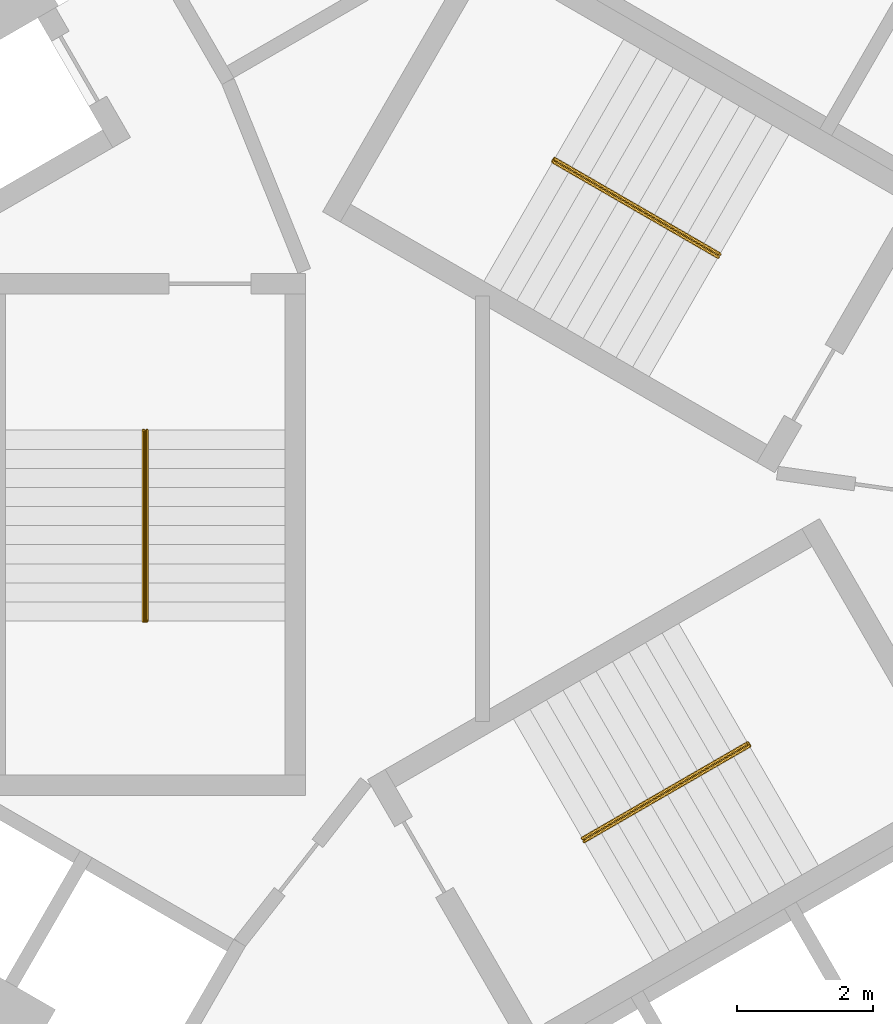
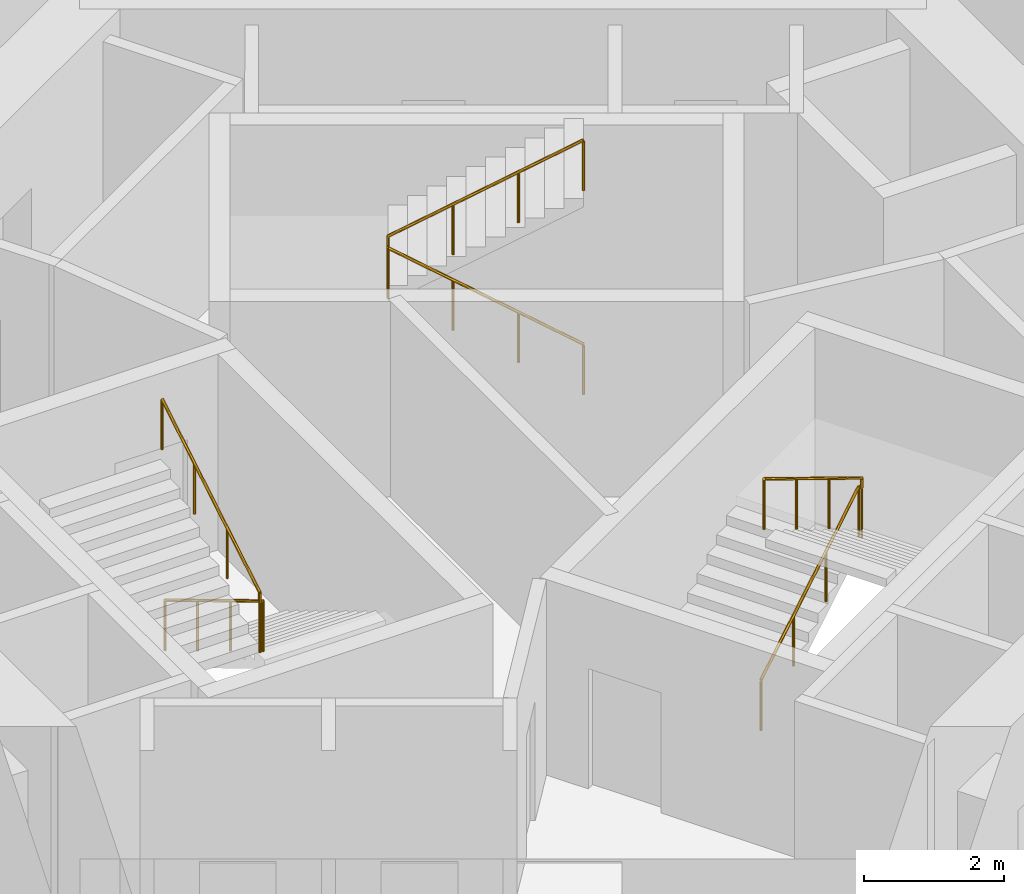
# One storey, part 10 of 10: 3 railings.
"""IFC4 building model written with IfcOpenShell, lengths in metres."""

from ifc_helpers import new_model, si_unit, direction, frame, origin, origin_2d, place, context, subcontext, project, spatial, circle, extrude, material, type_object, element, save


model = new_model("IFC4")

# Units and contexts
model_context = context("Model", 3, precision=1e-05, world=origin(), true_north=direction((0.0, 1.0)))
body_context = subcontext(model_context, "Body", "Model", "MODEL_VIEW")
ifc_project = project(units=[si_unit("LENGTHUNIT", "METRE"), si_unit("AREAUNIT", "SQUARE_METRE"), si_unit("VOLUMEUNIT", "CUBIC_METRE"), si_unit("PLANEANGLEUNIT", "RADIAN"), si_unit("MASSUNIT", "GRAM", prefix="KILO")], contexts=[model_context])

# Site, building, storey
site_placement = place(None, origin())
site = spatial("IfcSite", under=ifc_project, at=site_placement, CompositionType="ELEMENT")
building_placement = place(site_placement, origin())
building = spatial("IfcBuilding", under=site, at=building_placement, Name="Vanh Sen Convention Tower", CompositionType="ELEMENT")
storey_placement = place(building_placement, frame((0.0, 0.0, 157.699951171875)))
storey = spatial("IfcBuildingStorey", under=building, at=storey_placement, Name="L38", CompositionType="ELEMENT", Elevation=157.699951171875)

# Railings
ifc_material = material(Name="Stainless steel handrail", Category="steel")
railing_type = type_object("IfcRailingType", Name="Stair handrail 900", PredefinedType="HANDRAIL", material=ifc_material)
railing_1_placement = place(storey_placement, frame((3.45849609375, 3.690185546875, 0.168212890625)))
element("IfcRailing", 1, at=railing_1_placement, inside=storey, type_object=railing_type, Name="Stair handrail ST1 L38", PredefinedType="HANDRAIL", context=body_context, shape_type="SweptSolid", body=[
    extrude(circle(Radius=0.02392578125, at=origin_2d()), frame((0.0, 0.0, 0.8759765625), z_axis=(-0.742390482028, 0.42860119049, 0.514934356695), x_axis=(-0.49998411664, -0.866034573852, 0.0)), (0.0, 0.0, 1.0), 3.26611328125),
    extrude(circle(Radius=0.02392578125, at=origin_2d()), frame((-2.4248046875, 1.39990234375, 2.5576171875), z_axis=(0.497188445666, 0.867642581652, 0.0), x_axis=(-0.867642581652, 0.497188445666, 0.0)), (0.0, 0.0, 1.0), 0.050048828125),
    extrude(circle(Radius=0.02392578125, at=origin_2d()), frame((-2.39990234375, 1.443359375, 2.5576171875), z_axis=(0.0, 0.0, 1.0), x_axis=(1.0, 0.0, 0.0)), (0.0, 0.0, 1.0), 0.168212890625),
    extrude(circle(Radius=0.02392578125, at=origin_2d()), frame((-2.39990234375, 1.443359375, 2.72607421875), z_axis=(0.742395268701, -0.428678701772, 0.514862928999), x_axis=(0.500049511043, 0.865996816683, 0.0)), (0.0, 0.0, 1.0), 3.26611328125),
    extrude(circle(Radius=0.02099609375, at=origin_2d()), origin(), (0.0, 0.0, 1.0), 0.851806640625),
    extrude(circle(Radius=0.02099609375, at=origin_2d()), frame((-0.808349609375, 0.466552734375, 0.560546875)), (0.0, 0.0, 1.0), 0.851806640625),
    extrude(circle(Radius=0.02099609375, at=origin_2d()), frame((-1.616455078125, 0.933349609375, 1.121337890625)), (0.0, 0.0, 1.0), 0.851806640625),
    extrude(circle(Radius=0.02099609375, at=origin_2d()), frame((-2.4248046875, 1.39990234375, 1.681884765625)), (0.0, 0.0, 1.0), 0.851806640625),
    extrude(circle(Radius=0.02099609375, at=origin_2d()), frame((-2.39990234375, 1.443359375, 1.681884765625)), (0.0, 0.0, 1.0), 0.851806640625),
    extrude(circle(Radius=0.02099609375, at=origin_2d()), frame((-2.39990234375, 1.443359375, 1.85009765625)), (0.0, 0.0, 1.0), 0.851806640625),
    extrude(circle(Radius=0.02099609375, at=origin_2d()), frame((-1.591552734375, 0.9765625, 2.41064453125)), (0.0, 0.0, 1.0), 0.851806640625),
    extrude(circle(Radius=0.02099609375, at=origin_2d()), frame((-0.783447265625, 0.510009765625, 2.97119140625)), (0.0, 0.0, 1.0), 0.851806640625),
    extrude(circle(Radius=0.02099609375, at=origin_2d()), frame((0.02490234375, 0.043212890625, 3.53173828125)), (0.0, 0.0, 1.0), 0.851806640625),
])
railing_2_placement = place(storey_placement, frame((-4.925048828125, 1.14990234375, 0.168212890625)))
element("IfcRailing", 2, at=railing_2_placement, inside=storey, type_object=railing_type, Name="Stair handrail ST2 L38", PredefinedType="HANDRAIL", context=body_context, shape_type="SweptSolid", body=[
    extrude(circle(Radius=0.02392578125, at=origin_2d()), frame((0.0, 0.0, 0.8759765625), z_axis=(0.0, -0.857222391501, 0.514946377315), x_axis=(1.0, 0.0, 0.0)), (0.0, 0.0, 1.0), 3.26611328125),
    extrude(circle(Radius=0.02392578125, at=origin_2d()), frame((0.0, -2.7998046875, 2.5576171875), z_axis=(-1.0, 0.0, 0.0), x_axis=(0.0, -1.0, 0.0)), (0.0, 0.0, 1.0), 0.050048828125),
    extrude(circle(Radius=0.02392578125, at=origin_2d()), frame((-0.050048828125, -2.7998046875, 2.5576171875), z_axis=(0.0, 0.0, 1.0), x_axis=(1.0, 0.0, 0.0)), (0.0, 0.0, 1.0), 0.168212890625),
    extrude(circle(Radius=0.02392578125, at=origin_2d()), frame((-0.050048828125, -2.7998046875, 2.72607421875), z_axis=(0.0, 0.857255387014, 0.514891446264), x_axis=(-1.0, 0.0, 0.0)), (0.0, 0.0, 1.0), 3.26611328125),
    extrude(circle(Radius=0.02099609375, at=origin_2d()), origin(), (0.0, 0.0, 1.0), 0.851806640625),
    extrude(circle(Radius=0.02099609375, at=origin_2d()), frame((0.0, -0.933349609375, 0.560546875)), (0.0, 0.0, 1.0), 0.851806640625),
    extrude(circle(Radius=0.02099609375, at=origin_2d()), frame((0.0, -1.866455078125, 1.121337890625)), (0.0, 0.0, 1.0), 0.851806640625),
    extrude(circle(Radius=0.02099609375, at=origin_2d()), frame((0.0, -2.7998046875, 1.681884765625)), (0.0, 0.0, 1.0), 0.851806640625),
    extrude(circle(Radius=0.02099609375, at=origin_2d()), frame((-0.050048828125, -2.7998046875, 1.681884765625)), (0.0, 0.0, 1.0), 0.851806640625),
    extrude(circle(Radius=0.02099609375, at=origin_2d()), frame((-0.050048828125, -2.7998046875, 1.85009765625)), (0.0, 0.0, 1.0), 0.851806640625),
    extrude(circle(Radius=0.02099609375, at=origin_2d()), frame((-0.050048828125, -1.866455078125, 2.41064453125)), (0.0, 0.0, 1.0), 0.851806640625),
    extrude(circle(Radius=0.02099609375, at=origin_2d()), frame((-0.050048828125, -0.933349609375, 2.97119140625)), (0.0, 0.0, 1.0), 0.851806640625),
    extrude(circle(Radius=0.02099609375, at=origin_2d()), frame((-0.050048828125, 0.0, 3.53173828125)), (0.0, 0.0, 1.0), 0.851806640625),
])
railing_3_placement = place(storey_placement, frame((1.466552734375, -4.840087890625, 0.168212890625)))
element("IfcRailing", 3, at=railing_3_placement, inside=storey, type_object=railing_type, Name="Stair handrail ST3 L38", PredefinedType="HANDRAIL", context=body_context, shape_type="SweptSolid", body=[
    extrude(circle(Radius=0.02392578125, at=origin_2d()), frame((0.0, 0.0, 0.8759765625), z_axis=(0.742390482028, 0.42860119049, 0.514934356695), x_axis=(-0.49998411664, 0.866034573852, 0.0)), (0.0, 0.0, 1.0), 3.26611328125),
    extrude(circle(Radius=0.02392578125, at=origin_2d()), frame((2.4248046875, 1.39990234375, 2.5576171875), z_axis=(0.502959906984, -0.86430974307, 0.0), x_axis=(0.86430974307, 0.502959906984, 0.0)), (0.0, 0.0, 1.0), 0.050048828125),
    extrude(circle(Radius=0.02392578125, at=origin_2d()), frame((2.449951171875, 1.356689453125, 2.5576171875), z_axis=(0.0, 0.0, 1.0), x_axis=(1.0, 0.0, 0.0)), (0.0, 0.0, 1.0), 0.168212890625),
    extrude(circle(Radius=0.02392578125, at=origin_2d()), frame((2.449951171875, 1.356689453125, 2.72607421875), z_axis=(-0.742395268701, -0.428678701772, 0.514862928999), x_axis=(0.500049511043, -0.865996816683, 0.0)), (0.0, 0.0, 1.0), 3.26611328125),
    extrude(circle(Radius=0.02099609375, at=origin_2d()), origin(), (0.0, 0.0, 1.0), 0.851806640625),
    extrude(circle(Radius=0.02099609375, at=origin_2d()), frame((0.808349609375, 0.466552734375, 0.560546875)), (0.0, 0.0, 1.0), 0.851806640625),
    extrude(circle(Radius=0.02099609375, at=origin_2d()), frame((1.616455078125, 0.933349609375, 1.121337890625)), (0.0, 0.0, 1.0), 0.851806640625),
    extrude(circle(Radius=0.02099609375, at=origin_2d()), frame((2.4248046875, 1.39990234375, 1.681884765625)), (0.0, 0.0, 1.0), 0.851806640625),
    extrude(circle(Radius=0.02099609375, at=origin_2d()), frame((2.449951171875, 1.356689453125, 1.681884765625)), (0.0, 0.0, 1.0), 0.851806640625),
    extrude(circle(Radius=0.02099609375, at=origin_2d()), frame((2.449951171875, 1.356689453125, 1.85009765625)), (0.0, 0.0, 1.0), 0.851806640625),
    extrude(circle(Radius=0.02099609375, at=origin_2d()), frame((1.6416015625, 0.889892578125, 2.41064453125)), (0.0, 0.0, 1.0), 0.851806640625),
    extrude(circle(Radius=0.02099609375, at=origin_2d()), frame((0.83349609375, 0.42333984375, 2.97119140625)), (0.0, 0.0, 1.0), 0.851806640625),
    extrude(circle(Radius=0.02099609375, at=origin_2d()), frame((0.025146484375, -0.04345703125, 3.53173828125)), (0.0, 0.0, 1.0), 0.851806640625),
])

save(model, "model.ifc")
